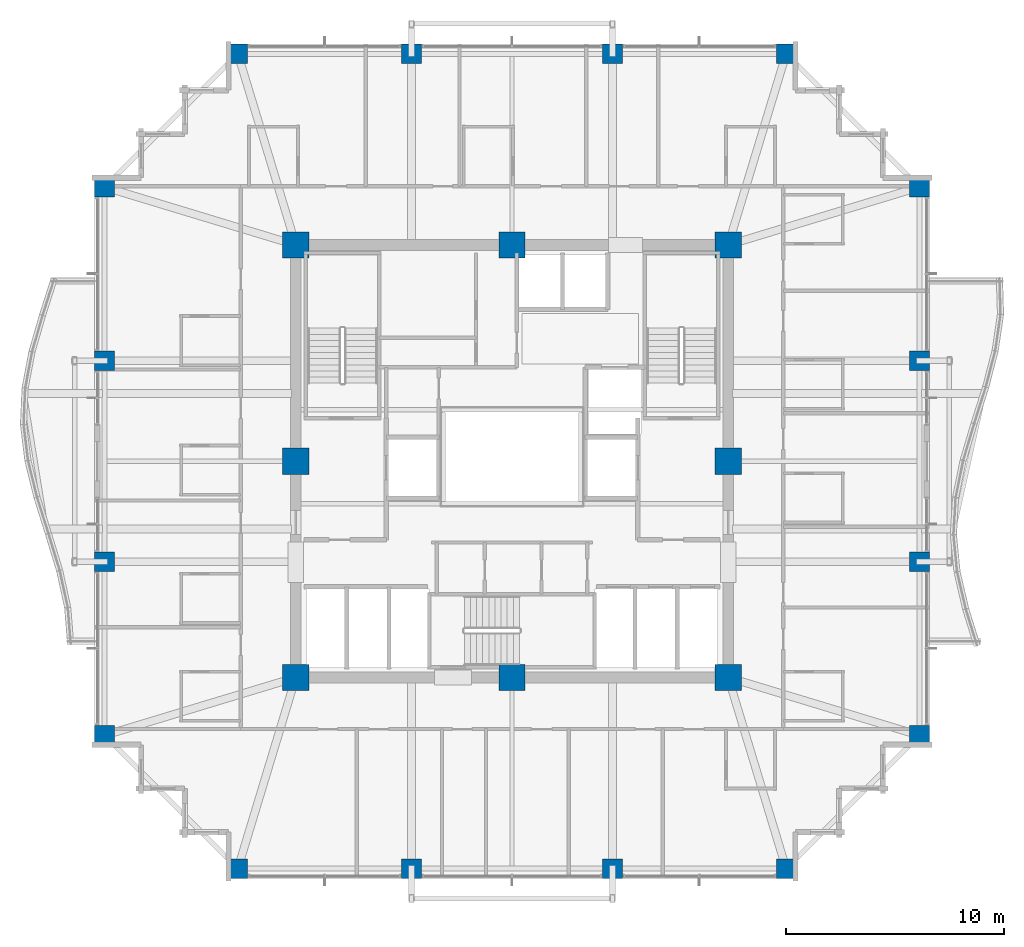
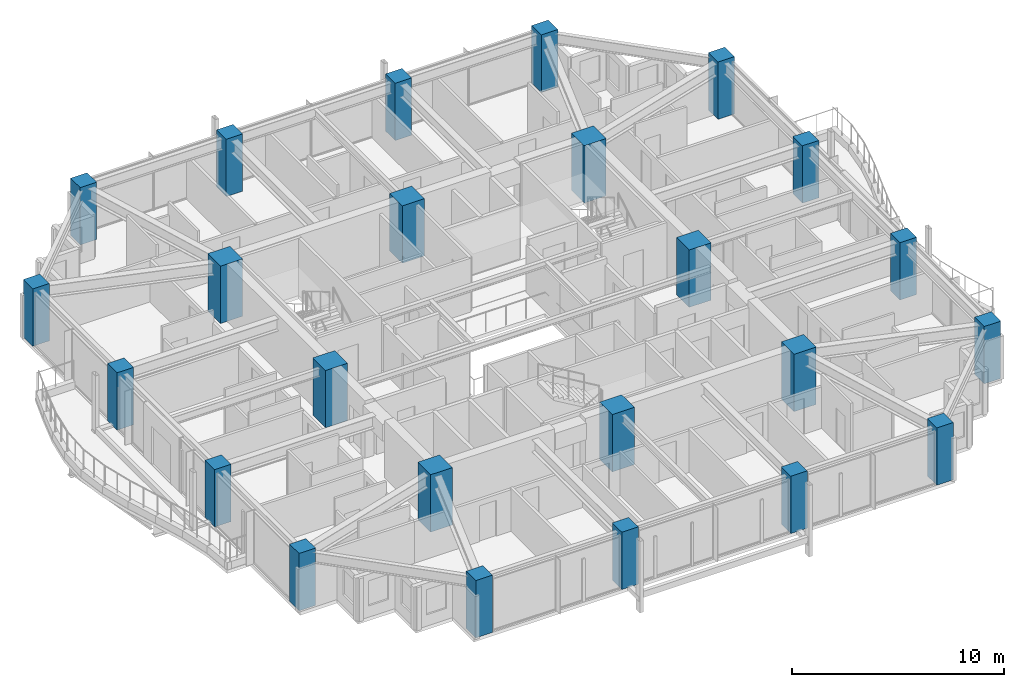
# One storey, part 1 of 37: 24 columns.
"""IFC4 building model written with IfcOpenShell, lengths in metres."""

from ifc_helpers import new_model, si_unit, direction, frame, origin, origin_2d, place, context, subcontext, project, spatial, rectangle, extrude, material, material_profile, profile_set, type_object, element, save


model = new_model("IFC4")

# Units and contexts
model_context = context("Model", 3, precision=1e-05, world=origin(), true_north=direction((0.0, 1.0)))
body_context = subcontext(model_context, "Body", "Model", "MODEL_VIEW")
ifc_project = project(units=[si_unit("LENGTHUNIT", "METRE"), si_unit("AREAUNIT", "SQUARE_METRE"), si_unit("VOLUMEUNIT", "CUBIC_METRE"), si_unit("PLANEANGLEUNIT", "RADIAN"), si_unit("MASSUNIT", "GRAM", prefix="KILO")], contexts=[model_context])

# Site, building, storey
site_placement = place(None, origin())
site = spatial("IfcSite", under=ifc_project, at=site_placement, CompositionType="ELEMENT")
building_placement = place(site_placement, origin())
building = spatial("IfcBuilding", under=site, at=building_placement, Name="Kolvaren Belvedere", CompositionType="ELEMENT")
storey_placement = place(building_placement, frame((0.0, 0.0, 156.89990234375)))
storey = spatial("IfcBuildingStorey", under=building, at=storey_placement, Name="L45", CompositionType="ELEMENT", Elevation=156.89990234375)

# Columns
ifc_material_1 = material(Name="Concrete C60/75", Category="concrete")
ifc_material_profile_1 = material_profile(ifc_material_1, rectangle(XDim=1.199951171875, YDim=1.199951171875, at=origin_2d()), Name="RC 1200X1200")
ifc_profile_set_1 = profile_set([ifc_material_profile_1], Name="Concrete C60/75")
column_type_1 = type_object("IfcColumnType", Name="COL-RC-1200", PredefinedType="COLUMN", material=ifc_profile_set_1)
for number, where, z_axis, x_axis, name in (
    (1, (-9.89990234375, -9.89990234375, 0.0), (0.0, 0.0, 1.0), (1.0, 0.0, 0.0), "L45 Core Column CC1"),
    (2, (9.89990234375, -9.89990234375, 0.0), (0.0, 0.0, 1.0), (1.0, 0.0, 0.0), "L45 Core Column CC2"),
    (3, (9.89990234375, 9.89990234375, 0.0), (0.0, 0.0, 1.0), (1.0, 0.0, 0.0), "L45 Core Column CC3"),
    (4, (-9.89990234375, 9.89990234375, 0.0), (0.0, 0.0, 1.0), (1.0, 0.0, 0.0), "L45 Core Column CC4"),
    (5, (0.0, -9.89990234375, 0.0), (0.0, 0.0, 1.0), (1.0, 0.0, 0.0), "L45 Core Column CM1"),
    (6, (9.89990234375, 0.0, 0.0), (0.0, 0.0, 1.0), (1.0, 0.0, 0.0), "L45 Core Column CM2"),
    (7, (0.0, 9.89990234375, 0.0), (0.0, 0.0, 1.0), (1.0, 0.0, 0.0), "L45 Core Column CM3"),
    (8, (-9.89990234375, 0.0, 0.0), (0.0, 0.0, 1.0), (1.0, 0.0, 0.0), "L45 Core Column CM4"),
):
    element("IfcColumn", number, at=place(storey_placement, frame(where, z_axis=z_axis, x_axis=x_axis)), inside=storey, type_object=column_type_1, Name=name, PredefinedType="COLUMN", context=body_context, shape_type="SweptSolid", body=[
        extrude(rectangle(XDim=1.199951171875, YDim=1.199951171875, at=origin_2d()), origin(), (0.0, 0.0, 1.0), 3.300048828125),
    ])
ifc_material_2 = material(Name="Concrete C50/60", Category="concrete")
ifc_material_profile_2 = material_profile(ifc_material_2, rectangle(XDim=0.89990234375, YDim=0.89990234375, at=origin_2d()), Name="RC 900X900")
ifc_profile_set_2 = profile_set([ifc_material_profile_2], Name="Concrete C50/60")
column_type_2 = type_object("IfcColumnType", Name="COL-RC-900", PredefinedType="COLUMN", material=ifc_profile_set_2)
for number, where, z_axis, x_axis, name in (
    (9, (-12.550048828125, -18.64990234375, 0.0), (0.0, 0.0, 1.0), (1.0, 0.0, 0.0), "L45 Perimeter Column S1"),
    (10, (-4.60009765625, -18.64990234375, 0.0), (0.0, 0.0, 1.0), (1.0, 0.0, 0.0), "L45 Perimeter Column S2"),
    (11, (4.60009765625, -18.64990234375, 0.0), (0.0, 0.0, 1.0), (1.0, 0.0, 0.0), "L45 Perimeter Column S3"),
    (12, (12.550048828125, -18.64990234375, 0.0), (0.0, 0.0, 1.0), (1.0, 0.0, 0.0), "L45 Perimeter Column S4"),
    (13, (-12.550048828125, 18.64990234375, 0.0), (0.0, 0.0, 1.0), (1.0, 0.0, 0.0), "L45 Perimeter Column N1"),
    (14, (-4.60009765625, 18.64990234375, 0.0), (0.0, 0.0, 1.0), (1.0, 0.0, 0.0), "L45 Perimeter Column N2"),
    (15, (4.60009765625, 18.64990234375, 0.0), (0.0, 0.0, 1.0), (1.0, 0.0, 0.0), "L45 Perimeter Column N3"),
    (16, (12.550048828125, 18.64990234375, 0.0), (0.0, 0.0, 1.0), (1.0, 0.0, 0.0), "L45 Perimeter Column N4"),
    (17, (-18.64990234375, -12.550048828125, 0.0), (0.0, 0.0, 1.0), (1.0, 0.0, 0.0), "L45 Perimeter Column W1"),
    (18, (-18.64990234375, -4.60009765625, 0.0), (0.0, 0.0, 1.0), (1.0, 0.0, 0.0), "L45 Perimeter Column W2"),
    (19, (-18.64990234375, 4.60009765625, 0.0), (0.0, 0.0, 1.0), (1.0, 0.0, 0.0), "L45 Perimeter Column W3"),
    (20, (-18.64990234375, 12.550048828125, 0.0), (0.0, 0.0, 1.0), (1.0, 0.0, 0.0), "L45 Perimeter Column W4"),
    (21, (18.64990234375, -12.550048828125, 0.0), (0.0, 0.0, 1.0), (1.0, 0.0, 0.0), "L45 Perimeter Column E1"),
    (22, (18.64990234375, -4.60009765625, 0.0), (0.0, 0.0, 1.0), (1.0, 0.0, 0.0), "L45 Perimeter Column E2"),
    (23, (18.64990234375, 4.60009765625, 0.0), (0.0, 0.0, 1.0), (1.0, 0.0, 0.0), "L45 Perimeter Column E3"),
    (24, (18.64990234375, 12.550048828125, 0.0), (0.0, 0.0, 1.0), (1.0, 0.0, 0.0), "L45 Perimeter Column E4"),
):
    element("IfcColumn", number, at=place(storey_placement, frame(where, z_axis=z_axis, x_axis=x_axis)), inside=storey, type_object=column_type_2, Name=name, PredefinedType="COLUMN", context=body_context, shape_type="SweptSolid", body=[
        extrude(rectangle(XDim=0.89990234375, YDim=0.89990234375, at=origin_2d()), origin(), (0.0, 0.0, 1.0), 3.300048828125),
    ])

save(model, "model.ifc")
